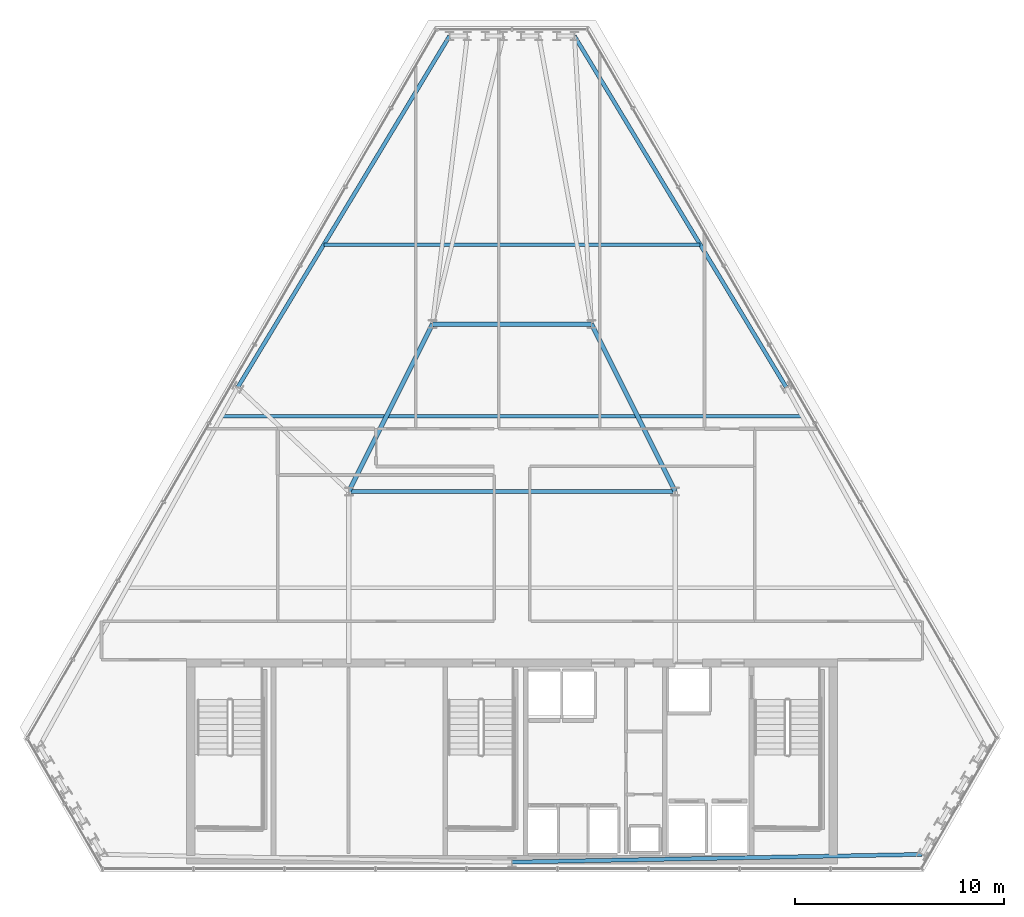
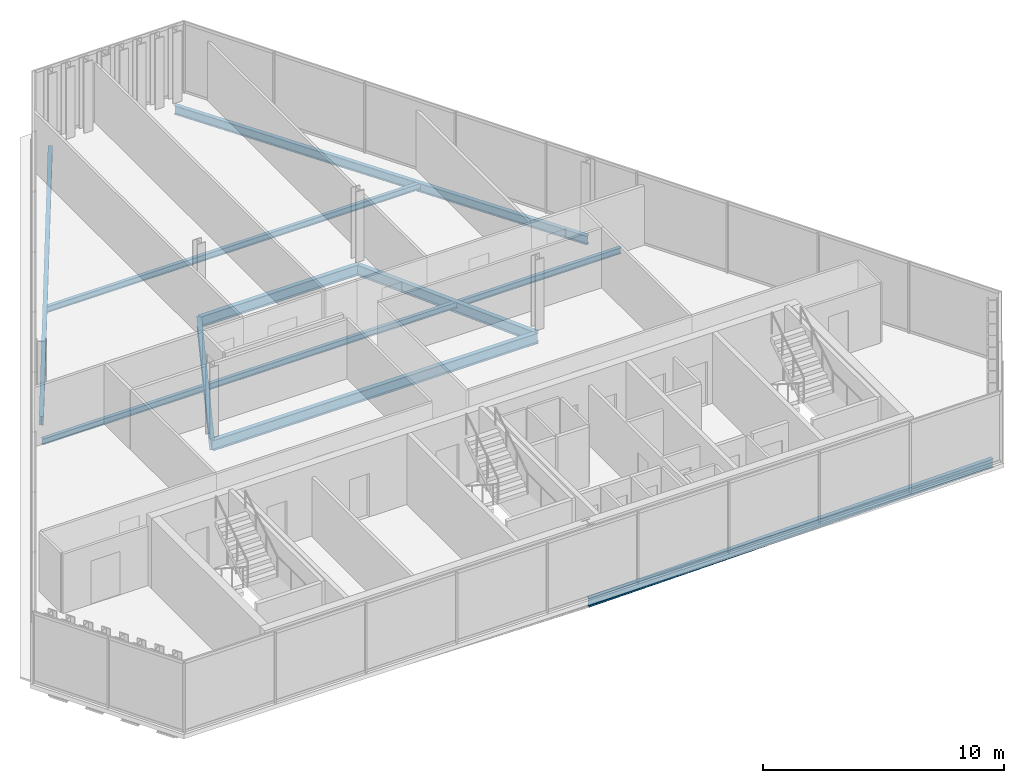
# One storey, part 13 of 29: 9 beams.
"""IFC4 building model written with IfcOpenShell, lengths in metres."""

from ifc_helpers import new_model, si_unit, direction, frame, origin, origin_2d, place, context, subcontext, project, spatial, i_section, extrude, material, material_profile, profile_set, type_object, element, save


model = new_model("IFC4")

# Units and contexts
model_context = context("Model", 3, precision=1e-05, world=origin(), true_north=direction((0.0, 1.0)))
body_context = subcontext(model_context, "Body", "Model", "MODEL_VIEW")
ifc_project = project(units=[si_unit("LENGTHUNIT", "METRE"), si_unit("AREAUNIT", "SQUARE_METRE"), si_unit("VOLUMEUNIT", "CUBIC_METRE"), si_unit("PLANEANGLEUNIT", "RADIAN"), si_unit("MASSUNIT", "GRAM", prefix="KILO")], contexts=[model_context])

# Site, building, storey
site_placement = place(None, origin())
site = spatial("IfcSite", under=ifc_project, at=site_placement, CompositionType="ELEMENT")
building_placement = place(site_placement, origin())
building = spatial("IfcBuilding", under=site, at=building_placement, Name="Ndaravel Arena Tower", CompositionType="ELEMENT")
storey_placement = place(building_placement, frame((0.0, 0.0, 229.39990234375)))
storey = spatial("IfcBuildingStorey", under=building, at=storey_placement, Name="L55", CompositionType="ELEMENT", Elevation=229.39990234375)

# Beams
ifc_material_1 = material(Name="Steel S355", Category="steel")
ifc_material_profile_1 = material_profile(ifc_material_1, i_section(OverallWidth=0.210693359375, OverallDepth=0.53955078125, WebThickness=0.01171875, FlangeThickness=0.018798828125, FilletRadius=0.0126953125, at=origin_2d()), Name="UB 533x210x109")
ifc_profile_set_1 = profile_set([ifc_material_profile_1], Name="Steel S355")
beam_type_1 = type_object("IfcBeamType", Name="BM-GIRD-UB533", PredefinedType="BEAM", material=ifc_profile_set_1)
beam_1_placement = place(storey_placement, frame((34.199951171875, 23.199951171875, -0.489501953125), z_axis=(1.0, 0.0, 0.0), x_axis=(0.0, 1.0, 0.0)))
element("IfcBeam", 1, at=beam_1_placement, inside=storey, type_object=beam_type_1, Name="L55 Spine Link Girder SLG-03", PredefinedType="BEAM", context=body_context, shape_type="SweptSolid", body=[
    extrude(i_section(OverallWidth=0.210693359375, OverallDepth=0.53955078125, WebThickness=0.01171875, FlangeThickness=0.018798828125, FilletRadius=0.0126953125, at=origin_2d()), origin(), (0.0, 0.0, 1.0), 15.60009765625),
])
for number, where, z_axis, x_axis, name in (
    (2, (34.199951171875, 23.199951171875, -0.489501953125), (0.4472135955, 0.894427191, 0.0), (-0.894427191, 0.4472135955, 0.0), "L55 Spine Link Girder SLG-04"),
    (3, (49.800048828125, 23.199951171875, -0.489501953125), (-0.4472135955, 0.894427191, 0.0), (-0.894427191, -0.4472135955, 0.0), "L55 Spine Link Girder SLG-05"),
):
    element("IfcBeam", number, at=place(storey_placement, frame(where, z_axis=z_axis, x_axis=x_axis)), inside=storey, type_object=beam_type_1, Name=name, PredefinedType="BEAM", context=body_context, shape_type="SweptSolid", body=[
        extrude(i_section(OverallWidth=0.210693359375, OverallDepth=0.53955078125, WebThickness=0.01171875, FlangeThickness=0.018798828125, FilletRadius=0.0126953125, at=origin_2d()), origin(), (0.0, 0.0, 1.0), 8.9443359375),
    ])
beam_2_placement = place(storey_placement, frame((38.199951171875, 31.199951171875, -0.489501953125), z_axis=(1.0, 0.0, 0.0), x_axis=(0.0, 1.0, 0.0)))
element("IfcBeam", 4, at=beam_2_placement, inside=storey, type_object=beam_type_1, Name="L55 Spine Link Girder SLG-06", PredefinedType="BEAM", context=body_context, shape_type="SweptSolid", body=[
    extrude(i_section(OverallWidth=0.210693359375, OverallDepth=0.53955078125, WebThickness=0.01171875, FlangeThickness=0.018798828125, FilletRadius=0.0126953125, at=origin_2d()), origin(), (0.0, 0.0, 1.0), 7.60009765625),
])
ifc_material_2 = material(Name="Steel S355", Category="steel")
ifc_material_profile_2 = material_profile(ifc_material_2, i_section(OverallWidth=0.165771484375, OverallDepth=0.306640625, WebThickness=0.006591796875, FlangeThickness=0.01171875, FilletRadius=0.0087890625, at=origin_2d()), Name="UB 305x165x46")
ifc_profile_set_2 = profile_set([ifc_material_profile_2], Name="Steel S355")
beam_type_2 = type_object("IfcBeamType", Name="BM-JOIST-UB305", PredefinedType="JOIST", material=ifc_profile_set_2)
beam_3_placement = place(storey_placement, frame((28.129638671875, 26.800048828125, -0.373291015625), z_axis=(1.0, 0.0, 0.0), x_axis=(0.0, 1.0, 0.0)))
element("IfcBeam", 5, at=beam_3_placement, inside=storey, type_object=beam_type_2, Name="L55 Composite Floor Joist FJ-02", PredefinedType="JOIST", context=body_context, shape_type="SweptSolid", body=[
    extrude(i_section(OverallWidth=0.165771484375, OverallDepth=0.306640625, WebThickness=0.006591796875, FlangeThickness=0.01171875, FilletRadius=0.0087890625, at=origin_2d()), origin(), (0.0, 0.0, 1.0), 27.74072265625),
])
beam_4_placement = place(storey_placement, frame((33.0029296875, 35.0, -0.373291015625), z_axis=(1.0, 0.0, 0.0), x_axis=(0.0, 1.0, 0.0)))
element("IfcBeam", 6, at=beam_4_placement, inside=storey, type_object=beam_type_2, Name="L55 Composite Floor Joist FJ-03", PredefinedType="JOIST", context=body_context, shape_type="SweptSolid", body=[
    extrude(i_section(OverallWidth=0.165771484375, OverallDepth=0.306640625, WebThickness=0.006591796875, FlangeThickness=0.01171875, FilletRadius=0.0087890625, at=origin_2d()), origin(), (0.0, 0.0, 1.0), 17.994140625),
])
ifc_material_3 = material(Name="Steel S355", Category="steel")
ifc_material_profile_3 = material_profile(ifc_material_3, i_section(OverallWidth=0.18994140625, OverallDepth=0.449951171875, WebThickness=0.009521484375, FlangeThickness=0.0146484375, FilletRadius=0.02099609375, at=origin_2d()), Name="IPE 450")
ifc_profile_set_3 = profile_set([ifc_material_profile_3], Name="Steel S355")
beam_type_3 = type_object("IfcBeamType", Name="BM-SPAN-IPE450", PredefinedType="SPANDREL", material=ifc_profile_set_3)
beam_5_placement = place(storey_placement, frame((42.0, 5.47998046875, -0.44482421875), z_axis=(0.999822176745, 0.018857754053, 0.0), x_axis=(-0.018857754053, 0.999822176745, 0.0)))
element("IfcBeam", 7, at=beam_5_placement, inside=storey, type_object=beam_type_3, Name="L55 Perimeter Spandrel Beam SP-01", PredefinedType="SPANDREL", context=body_context, shape_type="SweptSolid", body=[
    extrude(i_section(OverallWidth=0.18994140625, OverallDepth=0.449951171875, WebThickness=0.009521484375, FlangeThickness=0.0146484375, FilletRadius=0.02099609375, at=origin_2d()), origin(), (0.0, 0.0, 1.0), 19.600830078125),
])
for number, where, z_axis, x_axis, name in (
    (8, (55.10693359375, 28.181884765625, -0.44482421875), (-0.51624395282, 0.856441580715, 0.0), (-0.856441580715, -0.51624395282, 0.0), "L55 Perimeter Spandrel Beam SP-10"),
    (9, (39.011962890625, 44.968994140625, -0.44482421875), (-0.51624395282, -0.856441580715, 0.0), (0.856441580715, -0.51624395282, 0.0), "L55 Perimeter Spandrel Beam SP-18"),
):
    element("IfcBeam", number, at=place(storey_placement, frame(where, z_axis=z_axis, x_axis=x_axis)), inside=storey, type_object=beam_type_3, Name=name, PredefinedType="SPANDREL", context=body_context, shape_type="SweptSolid", body=[
        extrude(i_section(OverallWidth=0.18994140625, OverallDepth=0.449951171875, WebThickness=0.009521484375, FlangeThickness=0.0146484375, FilletRadius=0.02099609375, at=origin_2d()), origin(), (0.0, 0.0, 1.0), 19.60107421875),
    ])

save(model, "model.ifc")
